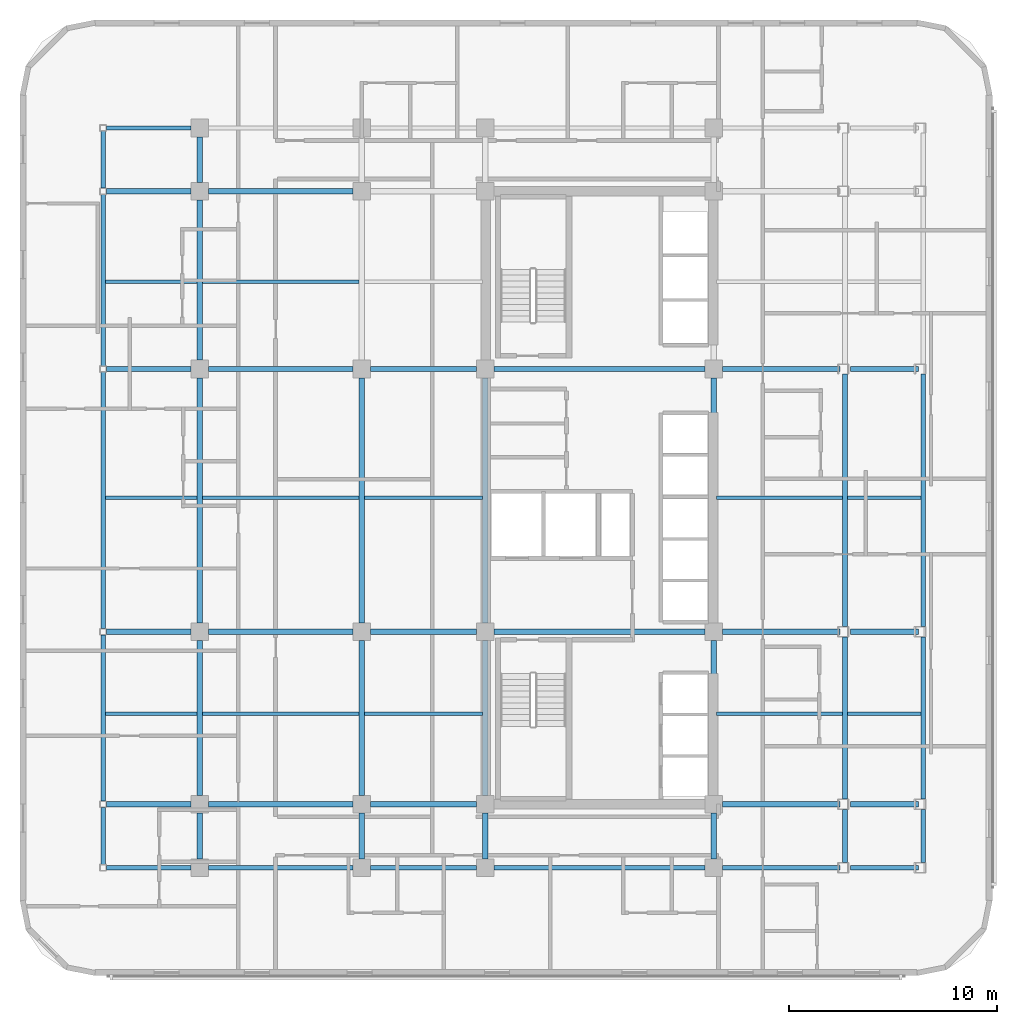
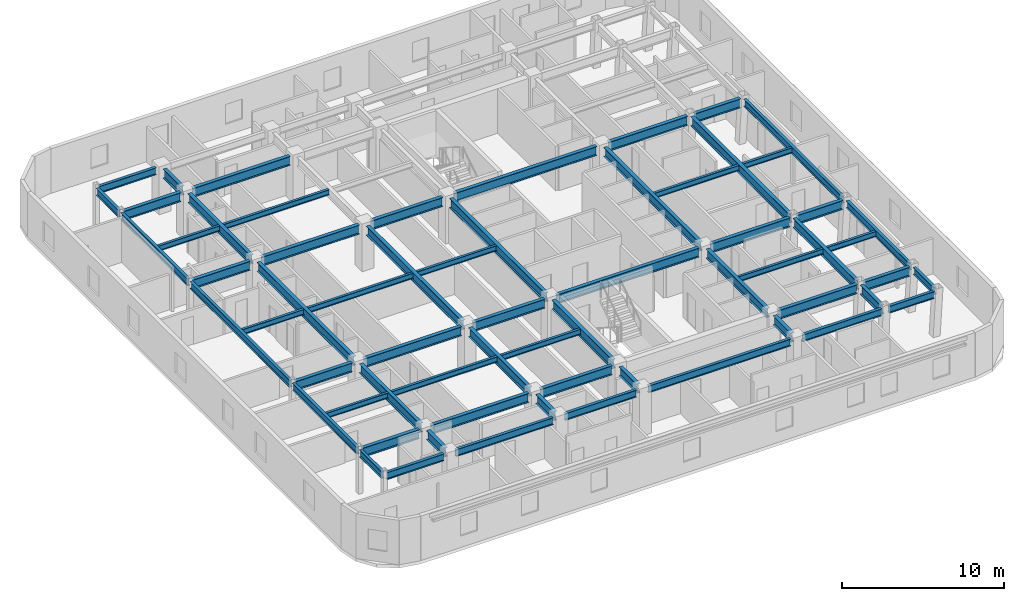
# One storey, part 4 of 14: 63 beams.
"""IFC4 building model written with IfcOpenShell, lengths in metres."""

from ifc_helpers import new_model, si_unit, direction, frame, origin, origin_2d, place, context, subcontext, project, spatial, i_section, extrude, material, material_profile, profile_set, type_object, element, save


model = new_model("IFC4")

# Units and contexts
model_context = context("Model", 3, precision=1e-05, world=origin(), true_north=direction((0.0, 1.0)))
body_context = subcontext(model_context, "Body", "Model", "MODEL_VIEW")
ifc_project = project(units=[si_unit("LENGTHUNIT", "METRE"), si_unit("AREAUNIT", "SQUARE_METRE"), si_unit("VOLUMEUNIT", "CUBIC_METRE"), si_unit("PLANEANGLEUNIT", "RADIAN"), si_unit("MASSUNIT", "GRAM", prefix="KILO")], contexts=[model_context])

# Site, building, storey
site_placement = place(None, origin())
site = spatial("IfcSite", under=ifc_project, at=site_placement, CompositionType="ELEMENT")
building_placement = place(site_placement, origin())
building = spatial("IfcBuilding", under=site, at=building_placement, Name="Ochreholt Gables", CompositionType="ELEMENT")
storey_placement = place(building_placement, frame((0.0, 0.0, 42.0)))
storey = spatial("IfcBuildingStorey", under=building, at=storey_placement, Name="L10", CompositionType="ELEMENT", Elevation=42.0)

# Beams
ifc_material = material(Name="Steel CSA G40.21 350W", Category="steel")
ifc_material_profile_1 = material_profile(ifc_material, i_section(OverallWidth=0.256103515625, OverallDepth=0.693115234375, WebThickness=0.014404296875, FlangeThickness=0.023681640625, at=origin_2d()), Name="W690X170")
ifc_profile_set_1 = profile_set([ifc_material_profile_1], Name="Steel CSA G40.21 350W")
beam_type_1 = type_object("IfcBeamType", Name="BM-G-W690", PredefinedType="BEAM", material=ifc_profile_set_1)
beam_1_placement = place(storey_placement, frame((5.9521484375, 9.25, 3.013427734375), z_axis=(1.0, 0.0, 0.0), x_axis=(0.0, 1.0, 0.0)))
element("IfcBeam", 1, at=beam_1_placement, inside=storey, type_object=beam_type_1, Name="L10 Beam TBG-L10-WTW2-Y2", PredefinedType="BEAM", context=body_context, shape_type="SweptSolid", body=[
    extrude(i_section(OverallWidth=0.256103515625, OverallDepth=0.693115234375, WebThickness=0.014404296875, FlangeThickness=0.023681640625, at=origin_2d()), origin(), (0.0, 0.0, 1.0), 4.0732421875),
])
beam_2_placement = place(storey_placement, frame((10.87451171875, 9.25, 3.013427734375), z_axis=(1.0, 0.0, 0.0), x_axis=(0.0, 1.0, 0.0)))
element("IfcBeam", 2, at=beam_2_placement, inside=storey, type_object=beam_type_1, Name="L10 Beam TBG-L10-W2W3-Y2", PredefinedType="BEAM", context=body_context, shape_type="SweptSolid", body=[
    extrude(i_section(OverallWidth=0.256103515625, OverallDepth=0.693115234375, WebThickness=0.014404296875, FlangeThickness=0.023681640625, at=origin_2d()), origin(), (0.0, 0.0, 1.0), 6.950927734375),
])
beam_3_placement = place(storey_placement, frame((18.674560546875, 9.25, 3.013427734375), z_axis=(1.0, 0.0, 0.0), x_axis=(0.0, 1.0, 0.0)))
element("IfcBeam", 3, at=beam_3_placement, inside=storey, type_object=beam_type_1, Name="L10 Beam TBG-L10-W3C1-Y2", PredefinedType="BEAM", context=body_context, shape_type="SweptSolid", body=[
    extrude(i_section(OverallWidth=0.256103515625, OverallDepth=0.693115234375, WebThickness=0.014404296875, FlangeThickness=0.023681640625, at=origin_2d()), origin(), (0.0, 0.0, 1.0), 5.100830078125),
])
beam_4_placement = place(storey_placement, frame((35.62451171875, 9.25, 3.013427734375), z_axis=(1.0, 0.0, 0.0), x_axis=(0.0, 1.0, 0.0)))
element("IfcBeam", 4, at=beam_4_placement, inside=storey, type_object=beam_type_1, Name="L10 Beam TBG-L10-C2EM-Y2", PredefinedType="BEAM", context=body_context, shape_type="SweptSolid", body=[
    extrude(i_section(OverallWidth=0.256103515625, OverallDepth=0.693115234375, WebThickness=0.014404296875, FlangeThickness=0.023681640625, at=origin_2d()), origin(), (0.0, 0.0, 1.0), 5.657958984375),
])
beam_5_placement = place(storey_placement, frame((41.781494140625, 9.25, 3.013427734375), z_axis=(1.0, 0.0, 0.0), x_axis=(0.0, 1.0, 0.0)))
element("IfcBeam", 5, at=beam_5_placement, inside=storey, type_object=beam_type_1, Name="L10 Beam TBG-L10-EMEE-Y2", PredefinedType="BEAM", context=body_context, shape_type="SweptSolid", body=[
    extrude(i_section(OverallWidth=0.256103515625, OverallDepth=0.693115234375, WebThickness=0.014404296875, FlangeThickness=0.023681640625, at=origin_2d()), origin(), (0.0, 0.0, 1.0), 3.2705078125),
])
beam_6_placement = place(storey_placement, frame((5.9521484375, 17.550048828125, 3.013427734375), z_axis=(1.0, 0.0, 0.0), x_axis=(0.0, 1.0, 0.0)))
element("IfcBeam", 6, at=beam_6_placement, inside=storey, type_object=beam_type_1, Name="L10 Beam TBG-L10-WTW2-Y3", PredefinedType="BEAM", context=body_context, shape_type="SweptSolid", body=[
    extrude(i_section(OverallWidth=0.256103515625, OverallDepth=0.693115234375, WebThickness=0.014404296875, FlangeThickness=0.023681640625, at=origin_2d()), origin(), (0.0, 0.0, 1.0), 4.0732421875),
])
beam_7_placement = place(storey_placement, frame((10.87451171875, 17.550048828125, 3.013427734375), z_axis=(1.0, 0.0, 0.0), x_axis=(0.0, 1.0, 0.0)))
element("IfcBeam", 7, at=beam_7_placement, inside=storey, type_object=beam_type_1, Name="L10 Beam TBG-L10-W2W3-Y3", PredefinedType="BEAM", context=body_context, shape_type="SweptSolid", body=[
    extrude(i_section(OverallWidth=0.256103515625, OverallDepth=0.693115234375, WebThickness=0.014404296875, FlangeThickness=0.023681640625, at=origin_2d()), origin(), (0.0, 0.0, 1.0), 6.950927734375),
])
beam_8_placement = place(storey_placement, frame((18.674560546875, 17.550048828125, 3.013427734375), z_axis=(1.0, 0.0, 0.0), x_axis=(0.0, 1.0, 0.0)))
element("IfcBeam", 8, at=beam_8_placement, inside=storey, type_object=beam_type_1, Name="L10 Beam TBG-L10-W3C1-Y3", PredefinedType="BEAM", context=body_context, shape_type="SweptSolid", body=[
    extrude(i_section(OverallWidth=0.256103515625, OverallDepth=0.693115234375, WebThickness=0.014404296875, FlangeThickness=0.023681640625, at=origin_2d()), origin(), (0.0, 0.0, 1.0), 5.100830078125),
])
beam_9_placement = place(storey_placement, frame((24.62451171875, 17.550048828125, 3.013427734375), z_axis=(1.0, 0.0, 0.0), x_axis=(0.0, 1.0, 0.0)))
element("IfcBeam", 9, at=beam_9_placement, inside=storey, type_object=beam_type_1, Name="L10 Beam TBG-L10-C1C2-Y3", PredefinedType="BEAM", context=body_context, shape_type="SweptSolid", body=[
    extrude(i_section(OverallWidth=0.256103515625, OverallDepth=0.693115234375, WebThickness=0.014404296875, FlangeThickness=0.023681640625, at=origin_2d()), origin(), (0.0, 0.0, 1.0), 10.15087890625),
])
beam_10_placement = place(storey_placement, frame((35.62451171875, 17.550048828125, 3.013427734375), z_axis=(1.0, 0.0, 0.0), x_axis=(0.0, 1.0, 0.0)))
element("IfcBeam", 10, at=beam_10_placement, inside=storey, type_object=beam_type_1, Name="L10 Beam TBG-L10-C2EM-Y3", PredefinedType="BEAM", context=body_context, shape_type="SweptSolid", body=[
    extrude(i_section(OverallWidth=0.256103515625, OverallDepth=0.693115234375, WebThickness=0.014404296875, FlangeThickness=0.023681640625, at=origin_2d()), origin(), (0.0, 0.0, 1.0), 5.657958984375),
])
beam_11_placement = place(storey_placement, frame((41.781494140625, 17.550048828125, 3.013427734375), z_axis=(1.0, 0.0, 0.0), x_axis=(0.0, 1.0, 0.0)))
element("IfcBeam", 11, at=beam_11_placement, inside=storey, type_object=beam_type_1, Name="L10 Beam TBG-L10-EMEE-Y3", PredefinedType="BEAM", context=body_context, shape_type="SweptSolid", body=[
    extrude(i_section(OverallWidth=0.256103515625, OverallDepth=0.693115234375, WebThickness=0.014404296875, FlangeThickness=0.023681640625, at=origin_2d()), origin(), (0.0, 0.0, 1.0), 3.2705078125),
])
beam_12_placement = place(storey_placement, frame((5.9521484375, 30.199951171875, 3.013427734375), z_axis=(1.0, 0.0, 0.0), x_axis=(0.0, 1.0, 0.0)))
element("IfcBeam", 12, at=beam_12_placement, inside=storey, type_object=beam_type_1, Name="L10 Beam TBG-L10-WTW2-Y4", PredefinedType="BEAM", context=body_context, shape_type="SweptSolid", body=[
    extrude(i_section(OverallWidth=0.256103515625, OverallDepth=0.693115234375, WebThickness=0.014404296875, FlangeThickness=0.023681640625, at=origin_2d()), origin(), (0.0, 0.0, 1.0), 4.0732421875),
])
beam_13_placement = place(storey_placement, frame((10.87451171875, 30.199951171875, 3.013427734375), z_axis=(1.0, 0.0, 0.0), x_axis=(0.0, 1.0, 0.0)))
element("IfcBeam", 13, at=beam_13_placement, inside=storey, type_object=beam_type_1, Name="L10 Beam TBG-L10-W2W3-Y4", PredefinedType="BEAM", context=body_context, shape_type="SweptSolid", body=[
    extrude(i_section(OverallWidth=0.256103515625, OverallDepth=0.693115234375, WebThickness=0.014404296875, FlangeThickness=0.023681640625, at=origin_2d()), origin(), (0.0, 0.0, 1.0), 6.950927734375),
])
beam_14_placement = place(storey_placement, frame((18.674560546875, 30.199951171875, 3.013427734375), z_axis=(1.0, 0.0, 0.0), x_axis=(0.0, 1.0, 0.0)))
element("IfcBeam", 14, at=beam_14_placement, inside=storey, type_object=beam_type_1, Name="L10 Beam TBG-L10-W3C1-Y4", PredefinedType="BEAM", context=body_context, shape_type="SweptSolid", body=[
    extrude(i_section(OverallWidth=0.256103515625, OverallDepth=0.693115234375, WebThickness=0.014404296875, FlangeThickness=0.023681640625, at=origin_2d()), origin(), (0.0, 0.0, 1.0), 5.100830078125),
])
beam_15_placement = place(storey_placement, frame((24.62451171875, 30.199951171875, 3.013427734375), z_axis=(1.0, 0.0, 0.0), x_axis=(0.0, 1.0, 0.0)))
element("IfcBeam", 15, at=beam_15_placement, inside=storey, type_object=beam_type_1, Name="L10 Beam TBG-L10-C1C2-Y4", PredefinedType="BEAM", context=body_context, shape_type="SweptSolid", body=[
    extrude(i_section(OverallWidth=0.256103515625, OverallDepth=0.693115234375, WebThickness=0.014404296875, FlangeThickness=0.023681640625, at=origin_2d()), origin(), (0.0, 0.0, 1.0), 10.15087890625),
])
beam_16_placement = place(storey_placement, frame((35.62451171875, 30.199951171875, 3.013427734375), z_axis=(1.0, 0.0, 0.0), x_axis=(0.0, 1.0, 0.0)))
element("IfcBeam", 16, at=beam_16_placement, inside=storey, type_object=beam_type_1, Name="L10 Beam TBG-L10-C2EM-Y4", PredefinedType="BEAM", context=body_context, shape_type="SweptSolid", body=[
    extrude(i_section(OverallWidth=0.256103515625, OverallDepth=0.693115234375, WebThickness=0.014404296875, FlangeThickness=0.023681640625, at=origin_2d()), origin(), (0.0, 0.0, 1.0), 5.657958984375),
])
beam_17_placement = place(storey_placement, frame((41.781494140625, 30.199951171875, 3.013427734375), z_axis=(1.0, 0.0, 0.0), x_axis=(0.0, 1.0, 0.0)))
element("IfcBeam", 17, at=beam_17_placement, inside=storey, type_object=beam_type_1, Name="L10 Beam TBG-L10-EMEE-Y4", PredefinedType="BEAM", context=body_context, shape_type="SweptSolid", body=[
    extrude(i_section(OverallWidth=0.256103515625, OverallDepth=0.693115234375, WebThickness=0.014404296875, FlangeThickness=0.023681640625, at=origin_2d()), origin(), (0.0, 0.0, 1.0), 3.2705078125),
])
beam_18_placement = place(storey_placement, frame((5.9521484375, 38.75, 3.013427734375), z_axis=(1.0, 0.0, 0.0), x_axis=(0.0, 1.0, 0.0)))
element("IfcBeam", 18, at=beam_18_placement, inside=storey, type_object=beam_type_1, Name="L10 Beam TBG-L10-WTW2-Y5", PredefinedType="BEAM", context=body_context, shape_type="SweptSolid", body=[
    extrude(i_section(OverallWidth=0.256103515625, OverallDepth=0.693115234375, WebThickness=0.014404296875, FlangeThickness=0.023681640625, at=origin_2d()), origin(), (0.0, 0.0, 1.0), 4.0732421875),
])
beam_19_placement = place(storey_placement, frame((10.87451171875, 38.75, 3.013427734375), z_axis=(1.0, 0.0, 0.0), x_axis=(0.0, 1.0, 0.0)))
element("IfcBeam", 19, at=beam_19_placement, inside=storey, type_object=beam_type_1, Name="L10 Beam TBG-L10-W2W3-Y5", PredefinedType="BEAM", context=body_context, shape_type="SweptSolid", body=[
    extrude(i_section(OverallWidth=0.256103515625, OverallDepth=0.693115234375, WebThickness=0.014404296875, FlangeThickness=0.023681640625, at=origin_2d()), origin(), (0.0, 0.0, 1.0), 6.950927734375),
])
beam_20_placement = place(storey_placement, frame((10.449951171875, 6.62451171875, 3.013427734375), z_axis=(0.0, 1.0, 0.0), x_axis=(-1.0, 0.0, 0.0)))
element("IfcBeam", 20, at=beam_20_placement, inside=storey, type_object=beam_type_1, Name="L10 Beam TBN-L10-W2-Y1Y2", PredefinedType="BEAM", context=body_context, shape_type="SweptSolid", body=[
    extrude(i_section(OverallWidth=0.256103515625, OverallDepth=0.693115234375, WebThickness=0.014404296875, FlangeThickness=0.023681640625, at=origin_2d()), origin(), (0.0, 0.0, 1.0), 2.200927734375),
])
beam_21_placement = place(storey_placement, frame((10.449951171875, 9.674560546875, 3.013427734375), z_axis=(0.0, 1.0, 0.0), x_axis=(-1.0, 0.0, 0.0)))
element("IfcBeam", 21, at=beam_21_placement, inside=storey, type_object=beam_type_1, Name="L10 Beam TBN-L10-W2-Y2Y3", PredefinedType="BEAM", context=body_context, shape_type="SweptSolid", body=[
    extrude(i_section(OverallWidth=0.256103515625, OverallDepth=0.693115234375, WebThickness=0.014404296875, FlangeThickness=0.023681640625, at=origin_2d()), origin(), (0.0, 0.0, 1.0), 7.450927734375),
])
beam_22_placement = place(storey_placement, frame((10.449951171875, 17.974609375, 3.013427734375), z_axis=(0.0, 1.0, 0.0), x_axis=(-1.0, 0.0, 0.0)))
element("IfcBeam", 22, at=beam_22_placement, inside=storey, type_object=beam_type_1, Name="L10 Beam TBN-L10-W2-Y3Y4", PredefinedType="BEAM", context=body_context, shape_type="SweptSolid", body=[
    extrude(i_section(OverallWidth=0.256103515625, OverallDepth=0.693115234375, WebThickness=0.014404296875, FlangeThickness=0.023681640625, at=origin_2d()), origin(), (0.0, 0.0, 1.0), 11.80078125),
])
beam_23_placement = place(storey_placement, frame((10.449951171875, 30.62451171875, 3.013427734375), z_axis=(0.0, 1.0, 0.0), x_axis=(-1.0, 0.0, 0.0)))
element("IfcBeam", 23, at=beam_23_placement, inside=storey, type_object=beam_type_1, Name="L10 Beam TBN-L10-W2-Y4Y5", PredefinedType="BEAM", context=body_context, shape_type="SweptSolid", body=[
    extrude(i_section(OverallWidth=0.256103515625, OverallDepth=0.693115234375, WebThickness=0.014404296875, FlangeThickness=0.023681640625, at=origin_2d()), origin(), (0.0, 0.0, 1.0), 7.700927734375),
])
for number, where, z_axis, x_axis, name in (
    (24, (10.449951171875, 39.174560546875, 3.013427734375), (0.0, 1.0, 0.0), (-1.0, 0.0, 0.0), "L10 Beam TBN-L10-W2-Y5Y6"),
    (25, (18.25, 6.62451171875, 3.013427734375), (0.0, 1.0, 0.0), (-1.0, 0.0, 0.0), "L10 Beam TBN-L10-W3-Y1Y2"),
):
    element("IfcBeam", number, at=place(storey_placement, frame(where, z_axis=z_axis, x_axis=x_axis)), inside=storey, type_object=beam_type_1, Name=name, PredefinedType="BEAM", context=body_context, shape_type="SweptSolid", body=[
        extrude(i_section(OverallWidth=0.256103515625, OverallDepth=0.693115234375, WebThickness=0.014404296875, FlangeThickness=0.023681640625, at=origin_2d()), origin(), (0.0, 0.0, 1.0), 2.200927734375),
    ])
beam_24_placement = place(storey_placement, frame((18.25, 9.674560546875, 3.013427734375), z_axis=(0.0, 1.0, 0.0), x_axis=(-1.0, 0.0, 0.0)))
element("IfcBeam", 26, at=beam_24_placement, inside=storey, type_object=beam_type_1, Name="L10 Beam TBN-L10-W3-Y2Y3", PredefinedType="BEAM", context=body_context, shape_type="SweptSolid", body=[
    extrude(i_section(OverallWidth=0.256103515625, OverallDepth=0.693115234375, WebThickness=0.014404296875, FlangeThickness=0.023681640625, at=origin_2d()), origin(), (0.0, 0.0, 1.0), 7.450927734375),
])
beam_25_placement = place(storey_placement, frame((18.25, 17.974609375, 3.013427734375), z_axis=(0.0, 1.0, 0.0), x_axis=(-1.0, 0.0, 0.0)))
element("IfcBeam", 27, at=beam_25_placement, inside=storey, type_object=beam_type_1, Name="L10 Beam TBN-L10-W3-Y3Y4", PredefinedType="BEAM", context=body_context, shape_type="SweptSolid", body=[
    extrude(i_section(OverallWidth=0.256103515625, OverallDepth=0.693115234375, WebThickness=0.014404296875, FlangeThickness=0.023681640625, at=origin_2d()), origin(), (0.0, 0.0, 1.0), 11.80078125),
])
beam_26_placement = place(storey_placement, frame((24.199951171875, 6.62451171875, 3.013427734375), z_axis=(0.0, 1.0, 0.0), x_axis=(-1.0, 0.0, 0.0)))
element("IfcBeam", 28, at=beam_26_placement, inside=storey, type_object=beam_type_1, Name="L10 Beam TBN-L10-C1-Y1Y2", PredefinedType="BEAM", context=body_context, shape_type="SweptSolid", body=[
    extrude(i_section(OverallWidth=0.256103515625, OverallDepth=0.693115234375, WebThickness=0.014404296875, FlangeThickness=0.023681640625, at=origin_2d()), origin(), (0.0, 0.0, 1.0), 2.200927734375),
])
beam_27_placement = place(storey_placement, frame((24.199951171875, 9.674560546875, 3.013427734375), z_axis=(0.0, 1.0, 0.0), x_axis=(-1.0, 0.0, 0.0)))
element("IfcBeam", 29, at=beam_27_placement, inside=storey, type_object=beam_type_1, Name="L10 Beam TBN-L10-C1-Y2Y3", PredefinedType="BEAM", context=body_context, shape_type="SweptSolid", body=[
    extrude(i_section(OverallWidth=0.256103515625, OverallDepth=0.693115234375, WebThickness=0.014404296875, FlangeThickness=0.023681640625, at=origin_2d()), origin(), (0.0, 0.0, 1.0), 7.450927734375),
])
beam_28_placement = place(storey_placement, frame((24.199951171875, 17.974609375, 3.013427734375), z_axis=(0.0, 1.0, 0.0), x_axis=(-1.0, 0.0, 0.0)))
element("IfcBeam", 30, at=beam_28_placement, inside=storey, type_object=beam_type_1, Name="L10 Beam TBN-L10-C1-Y3Y4", PredefinedType="BEAM", context=body_context, shape_type="SweptSolid", body=[
    extrude(i_section(OverallWidth=0.256103515625, OverallDepth=0.693115234375, WebThickness=0.014404296875, FlangeThickness=0.023681640625, at=origin_2d()), origin(), (0.0, 0.0, 1.0), 11.80078125),
])
beam_29_placement = place(storey_placement, frame((35.199951171875, 6.62451171875, 3.013427734375), z_axis=(0.0, 1.0, 0.0), x_axis=(-1.0, 0.0, 0.0)))
element("IfcBeam", 31, at=beam_29_placement, inside=storey, type_object=beam_type_1, Name="L10 Beam TBN-L10-C2-Y1Y2", PredefinedType="BEAM", context=body_context, shape_type="SweptSolid", body=[
    extrude(i_section(OverallWidth=0.256103515625, OverallDepth=0.693115234375, WebThickness=0.014404296875, FlangeThickness=0.023681640625, at=origin_2d()), origin(), (0.0, 0.0, 1.0), 2.200927734375),
])
beam_30_placement = place(storey_placement, frame((35.199951171875, 9.674560546875, 3.013427734375), z_axis=(0.0, 1.0, 0.0), x_axis=(-1.0, 0.0, 0.0)))
element("IfcBeam", 32, at=beam_30_placement, inside=storey, type_object=beam_type_1, Name="L10 Beam TBN-L10-C2-Y2Y3", PredefinedType="BEAM", context=body_context, shape_type="SweptSolid", body=[
    extrude(i_section(OverallWidth=0.256103515625, OverallDepth=0.693115234375, WebThickness=0.014404296875, FlangeThickness=0.023681640625, at=origin_2d()), origin(), (0.0, 0.0, 1.0), 7.450927734375),
])
beam_31_placement = place(storey_placement, frame((35.199951171875, 17.974609375, 3.013427734375), z_axis=(0.0, 1.0, 0.0), x_axis=(-1.0, 0.0, 0.0)))
element("IfcBeam", 33, at=beam_31_placement, inside=storey, type_object=beam_type_1, Name="L10 Beam TBN-L10-C2-Y3Y4", PredefinedType="BEAM", context=body_context, shape_type="SweptSolid", body=[
    extrude(i_section(OverallWidth=0.256103515625, OverallDepth=0.693115234375, WebThickness=0.014404296875, FlangeThickness=0.023681640625, at=origin_2d()), origin(), (0.0, 0.0, 1.0), 11.80078125),
])
beam_32_placement = place(storey_placement, frame((41.514892578125, 6.44970703125, 3.013427734375), z_axis=(0.0, 1.0, 0.0), x_axis=(-1.0, 0.0, 0.0)))
element("IfcBeam", 34, at=beam_32_placement, inside=storey, type_object=beam_type_1, Name="L10 Beam TBN-L10-EM-Y1Y2", PredefinedType="BEAM", context=body_context, shape_type="SweptSolid", body=[
    extrude(i_section(OverallWidth=0.256103515625, OverallDepth=0.693115234375, WebThickness=0.014404296875, FlangeThickness=0.023681640625, at=origin_2d()), origin(), (0.0, 0.0, 1.0), 2.55078125),
])
beam_33_placement = place(storey_placement, frame((41.514892578125, 9.49951171875, 3.013427734375), z_axis=(0.0, 1.0, 0.0), x_axis=(-1.0, 0.0, 0.0)))
element("IfcBeam", 35, at=beam_33_placement, inside=storey, type_object=beam_type_1, Name="L10 Beam TBN-L10-EM-Y2Y3", PredefinedType="BEAM", context=body_context, shape_type="SweptSolid", body=[
    extrude(i_section(OverallWidth=0.256103515625, OverallDepth=0.693115234375, WebThickness=0.014404296875, FlangeThickness=0.023681640625, at=origin_2d()), origin(), (0.0, 0.0, 1.0), 7.80078125),
])
beam_34_placement = place(storey_placement, frame((41.514892578125, 17.799560546875, 3.013427734375), z_axis=(0.0, 1.0, 0.0), x_axis=(-1.0, 0.0, 0.0)))
element("IfcBeam", 36, at=beam_34_placement, inside=storey, type_object=beam_type_1, Name="L10 Beam TBN-L10-EM-Y3Y4", PredefinedType="BEAM", context=body_context, shape_type="SweptSolid", body=[
    extrude(i_section(OverallWidth=0.256103515625, OverallDepth=0.693115234375, WebThickness=0.014404296875, FlangeThickness=0.023681640625, at=origin_2d()), origin(), (0.0, 0.0, 1.0), 12.15087890625),
])
ifc_material_profile_2 = material_profile(ifc_material, i_section(OverallWidth=0.178955078125, OverallDepth=0.409912109375, WebThickness=0.0087890625, FlangeThickness=0.014404296875, at=origin_2d()), Name="W410X67")
ifc_profile_set_2 = profile_set([ifc_material_profile_2], Name="Steel CSA G40.21 350W")
beam_type_2 = type_object("IfcBeamType", Name="BM-J-W410", PredefinedType="JOIST", material=ifc_profile_set_2)
beam_35_placement = place(storey_placement, frame((5.904052734375, 13.60009765625, 3.155029296875), z_axis=(1.0, 0.0, 0.0), x_axis=(0.0, 1.0, 0.0)))
element("IfcBeam", 37, at=beam_35_placement, inside=storey, type_object=beam_type_2, Name="L10 Beam TBJ-L10-J1-WTW2", PredefinedType="JOIST", context=body_context, shape_type="SweptSolid", body=[
    extrude(i_section(OverallWidth=0.178955078125, OverallDepth=0.409912109375, WebThickness=0.0087890625, FlangeThickness=0.014404296875, at=origin_2d()), origin(), (0.0, 0.0, 1.0), 4.41845703125),
])
beam_36_placement = place(storey_placement, frame((10.57763671875, 13.60009765625, 3.155029296875), z_axis=(1.0, 0.0, 0.0), x_axis=(0.0, 1.0, 0.0)))
element("IfcBeam", 38, at=beam_36_placement, inside=storey, type_object=beam_type_2, Name="L10 Beam TBJ-L10-J1-W2W3", PredefinedType="JOIST", context=body_context, shape_type="SweptSolid", body=[
    extrude(i_section(OverallWidth=0.178955078125, OverallDepth=0.409912109375, WebThickness=0.0087890625, FlangeThickness=0.014404296875, at=origin_2d()), origin(), (0.0, 0.0, 1.0), 7.544677734375),
])
beam_37_placement = place(storey_placement, frame((18.377685546875, 13.60009765625, 3.155029296875), z_axis=(1.0, 0.0, 0.0), x_axis=(0.0, 1.0, 0.0)))
element("IfcBeam", 39, at=beam_37_placement, inside=storey, type_object=beam_type_2, Name="L10 Beam TBJ-L10-J1-W3C1", PredefinedType="JOIST", context=body_context, shape_type="SweptSolid", body=[
    extrude(i_section(OverallWidth=0.178955078125, OverallDepth=0.409912109375, WebThickness=0.0087890625, FlangeThickness=0.014404296875, at=origin_2d()), origin(), (0.0, 0.0, 1.0), 5.69482421875),
])
beam_38_placement = place(storey_placement, frame((35.32763671875, 13.60009765625, 3.155029296875), z_axis=(1.0, 0.0, 0.0), x_axis=(0.0, 1.0, 0.0)))
element("IfcBeam", 40, at=beam_38_placement, inside=storey, type_object=beam_type_2, Name="L10 Beam TBJ-L10-J1-C2EM", PredefinedType="JOIST", context=body_context, shape_type="SweptSolid", body=[
    extrude(i_section(OverallWidth=0.178955078125, OverallDepth=0.409912109375, WebThickness=0.0087890625, FlangeThickness=0.014404296875, at=origin_2d()), origin(), (0.0, 0.0, 1.0), 6.0595703125),
])
beam_39_placement = place(storey_placement, frame((41.642333984375, 13.60009765625, 3.155029296875), z_axis=(1.0, 0.0, 0.0), x_axis=(0.0, 1.0, 0.0)))
element("IfcBeam", 41, at=beam_39_placement, inside=storey, type_object=beam_type_2, Name="L10 Beam TBJ-L10-J1-EMEE", PredefinedType="JOIST", context=body_context, shape_type="SweptSolid", body=[
    extrude(i_section(OverallWidth=0.178955078125, OverallDepth=0.409912109375, WebThickness=0.0087890625, FlangeThickness=0.014404296875, at=origin_2d()), origin(), (0.0, 0.0, 1.0), 3.52685546875),
])
beam_40_placement = place(storey_placement, frame((5.904052734375, 24.0, 3.155029296875), z_axis=(1.0, 0.0, 0.0), x_axis=(0.0, 1.0, 0.0)))
element("IfcBeam", 42, at=beam_40_placement, inside=storey, type_object=beam_type_2, Name="L10 Beam TBJ-L10-J2-WTW2", PredefinedType="JOIST", context=body_context, shape_type="SweptSolid", body=[
    extrude(i_section(OverallWidth=0.178955078125, OverallDepth=0.409912109375, WebThickness=0.0087890625, FlangeThickness=0.014404296875, at=origin_2d()), origin(), (0.0, 0.0, 1.0), 4.41845703125),
])
beam_41_placement = place(storey_placement, frame((10.57763671875, 24.0, 3.155029296875), z_axis=(1.0, 0.0, 0.0), x_axis=(0.0, 1.0, 0.0)))
element("IfcBeam", 43, at=beam_41_placement, inside=storey, type_object=beam_type_2, Name="L10 Beam TBJ-L10-J2-W2W3", PredefinedType="JOIST", context=body_context, shape_type="SweptSolid", body=[
    extrude(i_section(OverallWidth=0.178955078125, OverallDepth=0.409912109375, WebThickness=0.0087890625, FlangeThickness=0.014404296875, at=origin_2d()), origin(), (0.0, 0.0, 1.0), 7.544677734375),
])
beam_42_placement = place(storey_placement, frame((18.377685546875, 24.0, 3.155029296875), z_axis=(1.0, 0.0, 0.0), x_axis=(0.0, 1.0, 0.0)))
element("IfcBeam", 44, at=beam_42_placement, inside=storey, type_object=beam_type_2, Name="L10 Beam TBJ-L10-J2-W3C1", PredefinedType="JOIST", context=body_context, shape_type="SweptSolid", body=[
    extrude(i_section(OverallWidth=0.178955078125, OverallDepth=0.409912109375, WebThickness=0.0087890625, FlangeThickness=0.014404296875, at=origin_2d()), origin(), (0.0, 0.0, 1.0), 5.69482421875),
])
beam_43_placement = place(storey_placement, frame((35.32763671875, 24.0, 3.155029296875), z_axis=(1.0, 0.0, 0.0), x_axis=(0.0, 1.0, 0.0)))
element("IfcBeam", 45, at=beam_43_placement, inside=storey, type_object=beam_type_2, Name="L10 Beam TBJ-L10-J2-C2EM", PredefinedType="JOIST", context=body_context, shape_type="SweptSolid", body=[
    extrude(i_section(OverallWidth=0.178955078125, OverallDepth=0.409912109375, WebThickness=0.0087890625, FlangeThickness=0.014404296875, at=origin_2d()), origin(), (0.0, 0.0, 1.0), 6.0595703125),
])
beam_44_placement = place(storey_placement, frame((41.642333984375, 24.0, 3.155029296875), z_axis=(1.0, 0.0, 0.0), x_axis=(0.0, 1.0, 0.0)))
element("IfcBeam", 46, at=beam_44_placement, inside=storey, type_object=beam_type_2, Name="L10 Beam TBJ-L10-J2-EMEE", PredefinedType="JOIST", context=body_context, shape_type="SweptSolid", body=[
    extrude(i_section(OverallWidth=0.178955078125, OverallDepth=0.409912109375, WebThickness=0.0087890625, FlangeThickness=0.014404296875, at=origin_2d()), origin(), (0.0, 0.0, 1.0), 3.52685546875),
])
beam_45_placement = place(storey_placement, frame((5.904052734375, 34.39990234375, 3.155029296875), z_axis=(1.0, 0.0, 0.0), x_axis=(0.0, 1.0, 0.0)))
element("IfcBeam", 47, at=beam_45_placement, inside=storey, type_object=beam_type_2, Name="L10 Beam TBJ-L10-J3-WTW2", PredefinedType="JOIST", context=body_context, shape_type="SweptSolid", body=[
    extrude(i_section(OverallWidth=0.178955078125, OverallDepth=0.409912109375, WebThickness=0.0087890625, FlangeThickness=0.014404296875, at=origin_2d()), origin(), (0.0, 0.0, 1.0), 4.41845703125),
])
beam_46_placement = place(storey_placement, frame((10.57763671875, 34.39990234375, 3.155029296875), z_axis=(1.0, 0.0, 0.0), x_axis=(0.0, 1.0, 0.0)))
element("IfcBeam", 48, at=beam_46_placement, inside=storey, type_object=beam_type_2, Name="L10 Beam TBJ-L10-J3-W2W3", PredefinedType="JOIST", context=body_context, shape_type="SweptSolid", body=[
    extrude(i_section(OverallWidth=0.178955078125, OverallDepth=0.409912109375, WebThickness=0.0087890625, FlangeThickness=0.014404296875, at=origin_2d()), origin(), (0.0, 0.0, 1.0), 7.544677734375),
])
ifc_material_profile_3 = material_profile(ifc_material, i_section(OverallWidth=0.208984375, OverallDepth=0.532958984375, WebThickness=0.01025390625, FlangeThickness=0.015625, at=origin_2d()), Name="W530X92")
ifc_profile_set_3 = profile_set([ifc_material_profile_3], Name="Steel CSA G40.21 350W")
beam_type_3 = type_object("IfcBeamType", Name="BM-SP-W530B", PredefinedType="SPANDREL", material=ifc_profile_set_3)
beam_47_placement = place(storey_placement, frame((5.9521484375, 6.199951171875, 3.093505859375), z_axis=(1.0, 0.0, 0.0), x_axis=(0.0, 1.0, 0.0)))
element("IfcBeam", 49, at=beam_47_placement, inside=storey, type_object=beam_type_3, Name="L10 Beam TBG-L10-WTW2-Y1", PredefinedType="SPANDREL", context=body_context, shape_type="SweptSolid", body=[
    extrude(i_section(OverallWidth=0.208984375, OverallDepth=0.532958984375, WebThickness=0.01025390625, FlangeThickness=0.015625, at=origin_2d()), origin(), (0.0, 0.0, 1.0), 4.0732421875),
])
beam_48_placement = place(storey_placement, frame((10.87451171875, 6.199951171875, 3.093505859375), z_axis=(1.0, 0.0, 0.0), x_axis=(0.0, 1.0, 0.0)))
element("IfcBeam", 50, at=beam_48_placement, inside=storey, type_object=beam_type_3, Name="L10 Beam TBG-L10-W2W3-Y1", PredefinedType="SPANDREL", context=body_context, shape_type="SweptSolid", body=[
    extrude(i_section(OverallWidth=0.208984375, OverallDepth=0.532958984375, WebThickness=0.01025390625, FlangeThickness=0.015625, at=origin_2d()), origin(), (0.0, 0.0, 1.0), 6.950927734375),
])
beam_49_placement = place(storey_placement, frame((18.674560546875, 6.199951171875, 3.093505859375), z_axis=(1.0, 0.0, 0.0), x_axis=(0.0, 1.0, 0.0)))
element("IfcBeam", 51, at=beam_49_placement, inside=storey, type_object=beam_type_3, Name="L10 Beam TBG-L10-W3C1-Y1", PredefinedType="SPANDREL", context=body_context, shape_type="SweptSolid", body=[
    extrude(i_section(OverallWidth=0.208984375, OverallDepth=0.532958984375, WebThickness=0.01025390625, FlangeThickness=0.015625, at=origin_2d()), origin(), (0.0, 0.0, 1.0), 5.100830078125),
])
beam_50_placement = place(storey_placement, frame((24.62451171875, 6.199951171875, 3.093505859375), z_axis=(1.0, 0.0, 0.0), x_axis=(0.0, 1.0, 0.0)))
element("IfcBeam", 52, at=beam_50_placement, inside=storey, type_object=beam_type_3, Name="L10 Beam TBG-L10-C1C2-Y1", PredefinedType="SPANDREL", context=body_context, shape_type="SweptSolid", body=[
    extrude(i_section(OverallWidth=0.208984375, OverallDepth=0.532958984375, WebThickness=0.01025390625, FlangeThickness=0.015625, at=origin_2d()), origin(), (0.0, 0.0, 1.0), 10.15087890625),
])
beam_51_placement = place(storey_placement, frame((35.62451171875, 6.199951171875, 3.093505859375), z_axis=(1.0, 0.0, 0.0), x_axis=(0.0, 1.0, 0.0)))
element("IfcBeam", 53, at=beam_51_placement, inside=storey, type_object=beam_type_3, Name="L10 Beam TBG-L10-C2EM-Y1", PredefinedType="SPANDREL", context=body_context, shape_type="SweptSolid", body=[
    extrude(i_section(OverallWidth=0.208984375, OverallDepth=0.532958984375, WebThickness=0.01025390625, FlangeThickness=0.015625, at=origin_2d()), origin(), (0.0, 0.0, 1.0), 5.657958984375),
])
beam_52_placement = place(storey_placement, frame((41.781494140625, 6.199951171875, 3.093505859375), z_axis=(1.0, 0.0, 0.0), x_axis=(0.0, 1.0, 0.0)))
element("IfcBeam", 54, at=beam_52_placement, inside=storey, type_object=beam_type_3, Name="L10 Beam TBG-L10-EMEE-Y1", PredefinedType="SPANDREL", context=body_context, shape_type="SweptSolid", body=[
    extrude(i_section(OverallWidth=0.208984375, OverallDepth=0.532958984375, WebThickness=0.01025390625, FlangeThickness=0.015625, at=origin_2d()), origin(), (0.0, 0.0, 1.0), 3.2705078125),
])
beam_53_placement = place(storey_placement, frame((5.9521484375, 41.800048828125, 3.093505859375), z_axis=(1.0, 0.0, 0.0), x_axis=(0.0, 1.0, 0.0)))
element("IfcBeam", 55, at=beam_53_placement, inside=storey, type_object=beam_type_3, Name="L10 Beam TBG-L10-WTW2-Y6", PredefinedType="SPANDREL", context=body_context, shape_type="SweptSolid", body=[
    extrude(i_section(OverallWidth=0.208984375, OverallDepth=0.532958984375, WebThickness=0.01025390625, FlangeThickness=0.015625, at=origin_2d()), origin(), (0.0, 0.0, 1.0), 4.0732421875),
])
beam_54_placement = place(storey_placement, frame((5.800048828125, 6.35205078125, 3.093505859375), z_axis=(0.0, 1.0, 0.0), x_axis=(-1.0, 0.0, 0.0)))
element("IfcBeam", 56, at=beam_54_placement, inside=storey, type_object=beam_type_3, Name="L10 Beam TBN-L10-WT-Y1Y2", PredefinedType="SPANDREL", context=body_context, shape_type="SweptSolid", body=[
    extrude(i_section(OverallWidth=0.208984375, OverallDepth=0.532958984375, WebThickness=0.01025390625, FlangeThickness=0.015625, at=origin_2d()), origin(), (0.0, 0.0, 1.0), 2.745849609375),
])
beam_55_placement = place(storey_placement, frame((5.800048828125, 9.402099609375, 3.093505859375), z_axis=(0.0, 1.0, 0.0), x_axis=(-1.0, 0.0, 0.0)))
element("IfcBeam", 57, at=beam_55_placement, inside=storey, type_object=beam_type_3, Name="L10 Beam TBN-L10-WT-Y2Y3", PredefinedType="SPANDREL", context=body_context, shape_type="SweptSolid", body=[
    extrude(i_section(OverallWidth=0.208984375, OverallDepth=0.532958984375, WebThickness=0.01025390625, FlangeThickness=0.015625, at=origin_2d()), origin(), (0.0, 0.0, 1.0), 7.995849609375),
])
beam_56_placement = place(storey_placement, frame((5.800048828125, 17.7021484375, 3.093505859375), z_axis=(0.0, 1.0, 0.0), x_axis=(-1.0, 0.0, 0.0)))
element("IfcBeam", 58, at=beam_56_placement, inside=storey, type_object=beam_type_3, Name="L10 Beam TBN-L10-WT-Y3Y4", PredefinedType="SPANDREL", context=body_context, shape_type="SweptSolid", body=[
    extrude(i_section(OverallWidth=0.208984375, OverallDepth=0.532958984375, WebThickness=0.01025390625, FlangeThickness=0.015625, at=origin_2d()), origin(), (0.0, 0.0, 1.0), 12.345703125),
])
beam_57_placement = place(storey_placement, frame((5.800048828125, 30.35205078125, 3.093505859375), z_axis=(0.0, 1.0, 0.0), x_axis=(-1.0, 0.0, 0.0)))
element("IfcBeam", 59, at=beam_57_placement, inside=storey, type_object=beam_type_3, Name="L10 Beam TBN-L10-WT-Y4Y5", PredefinedType="SPANDREL", context=body_context, shape_type="SweptSolid", body=[
    extrude(i_section(OverallWidth=0.208984375, OverallDepth=0.532958984375, WebThickness=0.01025390625, FlangeThickness=0.015625, at=origin_2d()), origin(), (0.0, 0.0, 1.0), 8.245849609375),
])
beam_58_placement = place(storey_placement, frame((5.800048828125, 38.902099609375, 3.093505859375), z_axis=(0.0, 1.0, 0.0), x_axis=(-1.0, 0.0, 0.0)))
element("IfcBeam", 60, at=beam_58_placement, inside=storey, type_object=beam_type_3, Name="L10 Beam TBN-L10-WT-Y5Y6", PredefinedType="SPANDREL", context=body_context, shape_type="SweptSolid", body=[
    extrude(i_section(OverallWidth=0.208984375, OverallDepth=0.532958984375, WebThickness=0.01025390625, FlangeThickness=0.015625, at=origin_2d()), origin(), (0.0, 0.0, 1.0), 2.745849609375),
])
beam_59_placement = place(storey_placement, frame((45.273193359375, 6.44970703125, 3.093505859375), z_axis=(0.0, 1.0, 0.0), x_axis=(-1.0, 0.0, 0.0)))
element("IfcBeam", 61, at=beam_59_placement, inside=storey, type_object=beam_type_3, Name="L10 Beam TBN-L10-EE-Y1Y2", PredefinedType="SPANDREL", context=body_context, shape_type="SweptSolid", body=[
    extrude(i_section(OverallWidth=0.208984375, OverallDepth=0.532958984375, WebThickness=0.01025390625, FlangeThickness=0.015625, at=origin_2d()), origin(), (0.0, 0.0, 1.0), 2.55078125),
])
beam_60_placement = place(storey_placement, frame((45.273193359375, 9.49951171875, 3.093505859375), z_axis=(0.0, 1.0, 0.0), x_axis=(-1.0, 0.0, 0.0)))
element("IfcBeam", 62, at=beam_60_placement, inside=storey, type_object=beam_type_3, Name="L10 Beam TBN-L10-EE-Y2Y3", PredefinedType="SPANDREL", context=body_context, shape_type="SweptSolid", body=[
    extrude(i_section(OverallWidth=0.208984375, OverallDepth=0.532958984375, WebThickness=0.01025390625, FlangeThickness=0.015625, at=origin_2d()), origin(), (0.0, 0.0, 1.0), 7.80078125),
])
beam_61_placement = place(storey_placement, frame((45.273193359375, 17.799560546875, 3.093505859375), z_axis=(0.0, 1.0, 0.0), x_axis=(-1.0, 0.0, 0.0)))
element("IfcBeam", 63, at=beam_61_placement, inside=storey, type_object=beam_type_3, Name="L10 Beam TBN-L10-EE-Y3Y4", PredefinedType="SPANDREL", context=body_context, shape_type="SweptSolid", body=[
    extrude(i_section(OverallWidth=0.208984375, OverallDepth=0.532958984375, WebThickness=0.01025390625, FlangeThickness=0.015625, at=origin_2d()), origin(), (0.0, 0.0, 1.0), 12.15087890625),
])

save(model, "model.ifc")
